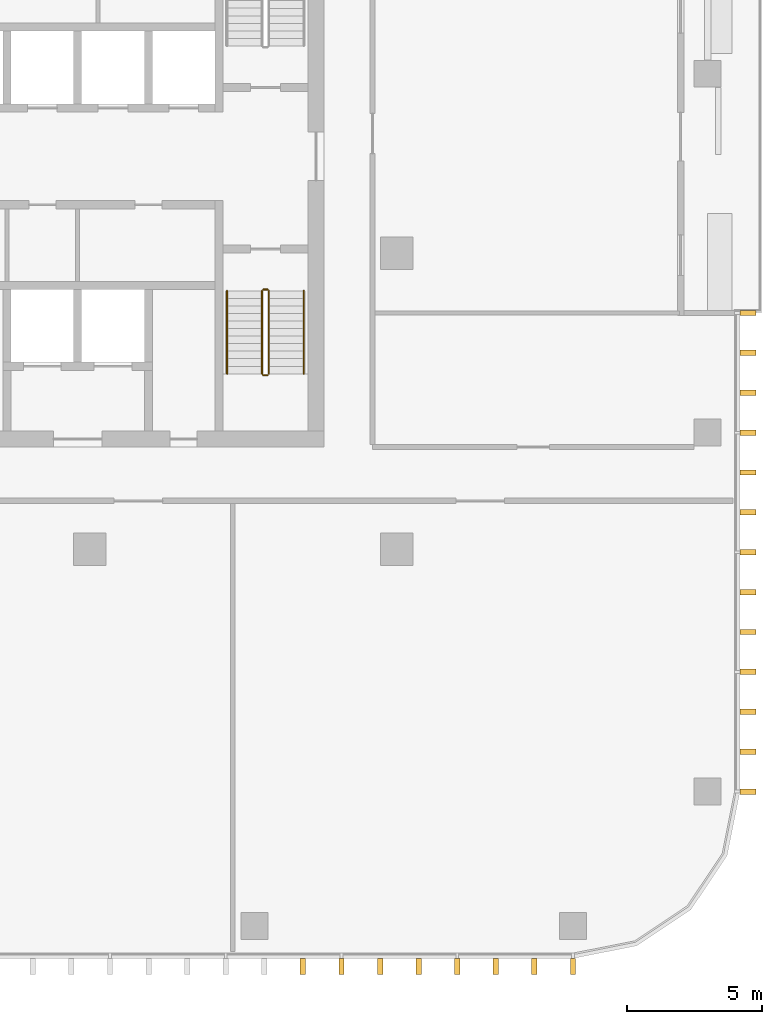
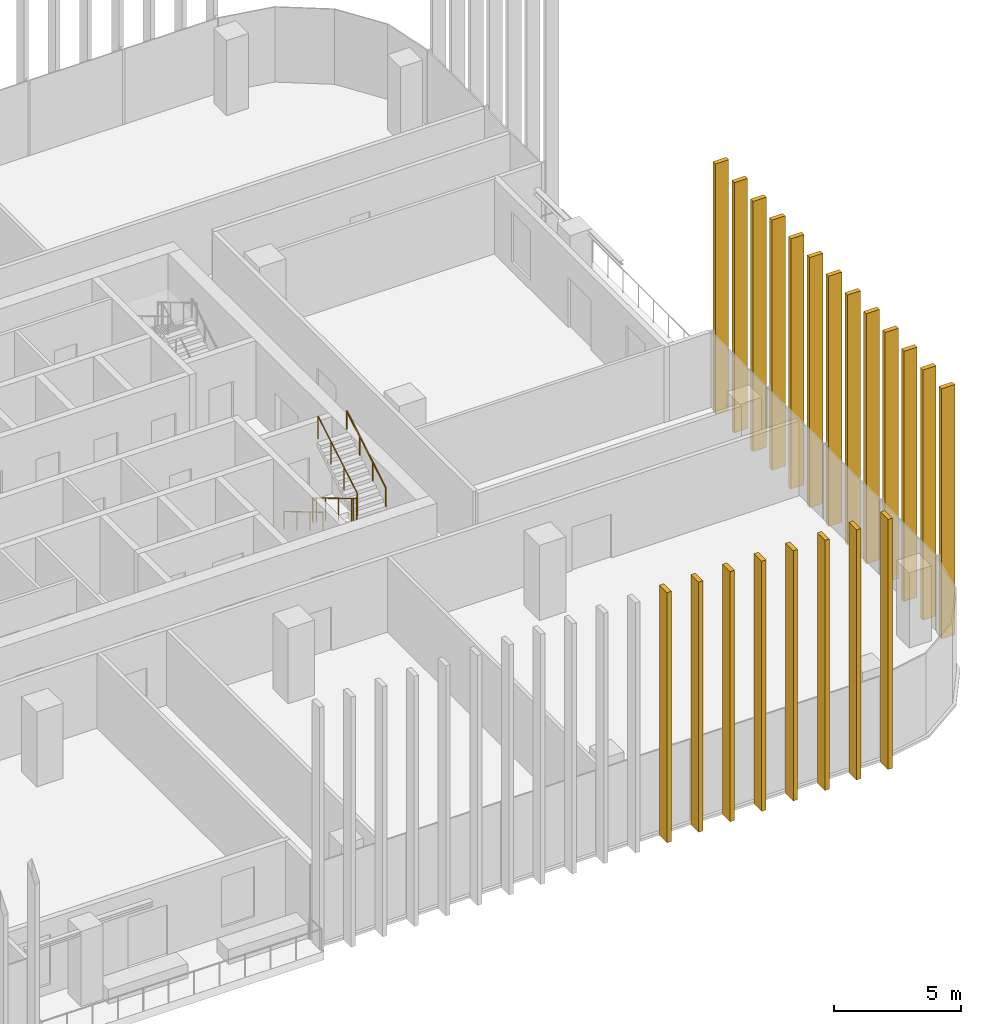
# One storey, part 13 of 16: 21 shading devices, 5 railings.
"""IFC4 building model written with IfcOpenShell, lengths in metres."""

from ifc_helpers import new_model, si_unit, direction, frame, origin, origin_2d, place, context, subcontext, project, spatial, rectangle, circle, extrude, material, type_object, element, save


model = new_model("IFC4")

# Units and contexts
model_context = context("Model", 3, precision=1e-05, world=origin(), true_north=direction((0.0, 1.0)))
body_context = subcontext(model_context, "Body", "Model", "MODEL_VIEW")
ifc_project = project(units=[si_unit("LENGTHUNIT", "METRE"), si_unit("AREAUNIT", "SQUARE_METRE"), si_unit("VOLUMEUNIT", "CUBIC_METRE"), si_unit("PLANEANGLEUNIT", "RADIAN"), si_unit("MASSUNIT", "GRAM", prefix="KILO")], contexts=[model_context])

# Site, building, storey
site_placement = place(None, origin())
site = spatial("IfcSite", under=ifc_project, at=site_placement, CompositionType="ELEMENT")
building_placement = place(site_placement, origin())
building = spatial("IfcBuilding", under=site, at=building_placement, Name="Mopane Tessera Tower", CompositionType="ELEMENT")
storey_placement = place(building_placement, frame((0.0, 0.0, 291.39990234375)))
storey = spatial("IfcBuildingStorey", under=building, at=storey_placement, Name="L63", CompositionType="ELEMENT", Elevation=291.39990234375)

# Shading devices
ifc_material_1 = material(Name="Glazed ceramic tile")
shading_device_type = type_object("IfcShadingDeviceType", Name="Ceramic tile fin 600 x 200 mm", PredefinedType="USERDEFINED", material=ifc_material_1)
for number, where, z_axis, x_axis, name in (
    (1, (13.61669921875, -26.5, -0.39990234375), (0.0, 0.0, 1.0), (1.0, 0.0, 0.0), "e:fin:L63:S:8:2"),
    (2, (15.050048828125, -26.5, -0.39990234375), (0.0, 0.0, 1.0), (1.0, 0.0, 0.0), "e:fin:L63:S:9:0"),
    (3, (16.4833984375, -26.5, -0.39990234375), (0.0, 0.0, 1.0), (1.0, 0.0, 0.0), "e:fin:L63:S:9:1"),
    (4, (17.916748046875, -26.5, -0.39990234375), (0.0, 0.0, 1.0), (1.0, 0.0, 0.0), "e:fin:L63:S:9:2"),
    (5, (19.35009765625, -26.5, -0.39990234375), (0.0, 0.0, 1.0), (1.0, 0.0, 0.0), "e:fin:L63:S:10:0"),
    (6, (20.783447265625, -26.5, -0.39990234375), (0.0, 0.0, 1.0), (1.0, 0.0, 0.0), "e:fin:L63:S:10:1"),
    (7, (22.216552734375, -26.5, -0.39990234375), (0.0, 0.0, 1.0), (1.0, 0.0, 0.0), "e:fin:L63:S:10:2"),
    (8, (23.64990234375, -26.5, -0.39990234375), (0.0, 0.0, 1.0), (1.0, 0.0, 0.0), "e:fin:L63:S:10:3"),
    (9, (30.14990234375, -20.0, -0.39990234375), (0.0, 0.0, 1.0), (0.0, 1.0, 0.0), "e:fin:L63:E:0:0"),
    (10, (30.14990234375, -18.5185546875, -0.39990234375), (0.0, 0.0, 1.0), (0.0, 1.0, 0.0), "e:fin:L63:E:0:1"),
    (11, (30.14990234375, -17.037109375, -0.39990234375), (0.0, 0.0, 1.0), (0.0, 1.0, 0.0), "e:fin:L63:E:0:2"),
    (12, (30.14990234375, -15.5556640625, -0.39990234375), (0.0, 0.0, 1.0), (0.0, 1.0, 0.0), "e:fin:L63:E:1:0"),
    (13, (30.14990234375, -14.073974609375, -0.39990234375), (0.0, 0.0, 1.0), (0.0, 1.0, 0.0), "e:fin:L63:E:1:1"),
    (14, (30.14990234375, -12.592529296875, -0.39990234375), (0.0, 0.0, 1.0), (0.0, 1.0, 0.0), "e:fin:L63:E:1:2"),
    (15, (30.14990234375, -11.111083984375, -0.39990234375), (0.0, 0.0, 1.0), (0.0, 1.0, 0.0), "e:fin:L63:E:2:0"),
    (16, (30.14990234375, -9.629638671875, -0.39990234375), (0.0, 0.0, 1.0), (0.0, 1.0, 0.0), "e:fin:L63:E:2:1"),
    (17, (30.14990234375, -8.148193359375, -0.39990234375), (0.0, 0.0, 1.0), (0.0, 1.0, 0.0), "e:fin:L63:E:2:2"),
    (18, (30.14990234375, -6.666748046875, -0.39990234375), (0.0, 0.0, 1.0), (0.0, 1.0, 0.0), "e:fin:L63:E:3:0"),
    (19, (30.14990234375, -5.185302734375, -0.39990234375), (0.0, 0.0, 1.0), (0.0, 1.0, 0.0), "e:fin:L63:E:3:1"),
    (20, (30.14990234375, -3.70361328125, -0.39990234375), (0.0, 0.0, 1.0), (0.0, 1.0, 0.0), "e:fin:L63:E:3:2"),
    (21, (30.14990234375, -2.22216796875, -0.39990234375), (0.0, 0.0, 1.0), (0.0, 1.0, 0.0), "e:fin:L63:E:3:3"),
):
    element("IfcShadingDevice", number, at=place(storey_placement, frame(where, z_axis=z_axis, x_axis=x_axis)), inside=storey, type_object=shading_device_type, Name=name, ObjectType="FIN", PredefinedType="USERDEFINED", context=body_context, shape_type="SweptSolid", body=[
        extrude(rectangle(XDim=0.199951171875, YDim=0.60009765625, at=origin_2d()), origin(), (0.0, 0.0, 1.0), 12.0),
    ])

# Railings
ifc_material_2 = material(Name="Powder-coated steel balustrade", Category="steel")
railing_type_1 = type_object("IfcRailingType", Name="Escape stair guard 1100 mm", PredefinedType="GUARDRAIL", material=ifc_material_2)
railing_1_placement = place(storey_placement, frame((12.10009765625, -1.39990234375, 0.166748046875)))
element("IfcRailing", 22, at=railing_1_placement, inside=storey, type_object=railing_type_1, Name="L63 ST3 stair guard 1", PredefinedType="GUARDRAIL", context=body_context, shape_type="SweptSolid", body=[
    extrude(circle(Radius=0.02392578125, at=origin_2d()), frame((0.0, 0.0, 1.076171875), z_axis=(0.0, -0.859308565015, 0.511457515432), x_axis=(1.0, 0.0, 0.0)), (0.0, 0.0, 1.0), 3.58447265625),
    extrude(circle(Radius=0.02392578125, at=origin_2d()), frame((0.0, -3.080078125, 2.9091796875), z_axis=(0.705375805398, -0.708833529934, 0.0), x_axis=(0.708833529934, 0.705375805398, 0.0)), (0.0, 0.0, 1.0), 0.070556640625),
    extrude(circle(Radius=0.02392578125, at=origin_2d()), frame((0.0498046875, -3.130126953125, 2.9091796875), z_axis=(1.0, 0.0, 0.0), x_axis=(0.0, 1.0, 0.0)), (0.0, 0.0, 1.0), 0.150146484375),
    extrude(circle(Radius=0.02099609375, at=origin_2d()), origin(), (0.0, 0.0, 1.0), 1.052001953125),
    extrude(circle(Radius=0.02099609375, at=origin_2d()), frame((0.0, -1.026611328125, 0.611083984375)), (0.0, 0.0, 1.0), 1.052001953125),
    extrude(circle(Radius=0.02099609375, at=origin_2d()), frame((0.0, -2.053466796875, 1.22216796875)), (0.0, 0.0, 1.0), 1.052001953125),
    extrude(circle(Radius=0.02099609375, at=origin_2d()), frame((0.0, -3.080078125, 1.833251953125)), (0.0, 0.0, 1.0), 1.052001953125),
    extrude(circle(Radius=0.02099609375, at=origin_2d()), frame((0.0498046875, -3.130126953125, 1.833251953125)), (0.0, 0.0, 1.0), 1.052001953125),
    extrude(circle(Radius=0.02099609375, at=origin_2d()), frame((0.199951171875, -3.130126953125, 1.833251953125)), (0.0, 0.0, 1.0), 1.052001953125),
])
railing_2_placement = place(storey_placement, frame((12.35009765625, -4.47998046875, 2.166748046875)))
element("IfcRailing", 23, at=railing_2_placement, inside=storey, type_object=railing_type_1, Name="L63 ST3 stair guard 2", PredefinedType="GUARDRAIL", context=body_context, shape_type="SweptSolid", body=[
    extrude(circle(Radius=0.02392578125, at=origin_2d()), frame((0.0, 0.0, 1.076171875), z_axis=(0.0, 0.859308565015, 0.511457515432), x_axis=(-1.0, 0.0, 0.0)), (0.0, 0.0, 1.0), 3.58447265625),
    extrude(circle(Radius=0.02099609375, at=origin_2d()), origin(), (0.0, 0.0, 1.0), 1.052001953125),
    extrude(circle(Radius=0.02099609375, at=origin_2d()), frame((0.0, 1.026611328125, 0.611083984375)), (0.0, 0.0, 1.0), 1.052001953125),
    extrude(circle(Radius=0.02099609375, at=origin_2d()), frame((0.0, 2.053466796875, 1.22216796875)), (0.0, 0.0, 1.0), 1.052001953125),
    extrude(circle(Radius=0.02099609375, at=origin_2d()), frame((0.0, 3.080078125, 1.833251953125)), (0.0, 0.0, 1.0), 1.052001953125),
])
railing_3_placement = place(storey_placement, frame((12.14990234375, -1.35009765625, 0.0)))
element("IfcRailing", 24, at=railing_3_placement, inside=storey, type_object=railing_type_1, Name="L63 ST3 stair guard 3", PredefinedType="GUARDRAIL", context=body_context, shape_type="SweptSolid", body=[
    extrude(circle(Radius=0.02392578125, at=origin_2d()), frame((0.0, 0.0, 1.076171875), z_axis=(1.0, 0.0, 0.0), x_axis=(0.0, 1.0, 0.0)), (0.0, 0.0, 1.0), 0.150146484375),
    extrude(circle(Radius=0.02099609375, at=origin_2d()), origin(), (0.0, 0.0, 1.0), 1.052001953125),
    extrude(circle(Radius=0.02099609375, at=origin_2d()), frame((0.150146484375, 0.0, 0.0)), (0.0, 0.0, 1.0), 1.052001953125),
])
ifc_material_3 = material(Name="Powder-coated steel balustrade", Category="steel")
railing_type_2 = type_object("IfcRailingType", Name="Escape stair handrail 900 mm", PredefinedType="HANDRAIL", material=ifc_material_3)
railing_4_placement = place(storey_placement, frame((10.800048828125, -1.39990234375, 0.166748046875)))
element("IfcRailing", 25, at=railing_4_placement, inside=storey, type_object=railing_type_2, Name="L63 ST3 stair handrail 1", PredefinedType="HANDRAIL", context=body_context, shape_type="SweptSolid", body=[
    extrude(circle(Radius=0.02392578125, at=origin_2d()), frame((0.0, 0.0, 0.8759765625), z_axis=(0.0, -0.859308565015, 0.511457515432), x_axis=(1.0, 0.0, 0.0)), (0.0, 0.0, 1.0), 3.58447265625),
    extrude(circle(Radius=0.02099609375, at=origin_2d()), origin(), (0.0, 0.0, 1.0), 0.851806640625),
    extrude(circle(Radius=0.02099609375, at=origin_2d()), frame((0.0, -1.026611328125, 0.611083984375)), (0.0, 0.0, 1.0), 0.851806640625),
    extrude(circle(Radius=0.02099609375, at=origin_2d()), frame((0.0, -2.053466796875, 1.22216796875)), (0.0, 0.0, 1.0), 0.851806640625),
    extrude(circle(Radius=0.02099609375, at=origin_2d()), frame((0.0, -3.080078125, 1.833251953125)), (0.0, 0.0, 1.0), 0.851806640625),
])
railing_5_placement = place(storey_placement, frame((13.64990234375, -4.47998046875, 2.166748046875)))
element("IfcRailing", 26, at=railing_5_placement, inside=storey, type_object=railing_type_2, Name="L63 ST3 stair handrail 2", PredefinedType="HANDRAIL", context=body_context, shape_type="SweptSolid", body=[
    extrude(circle(Radius=0.02392578125, at=origin_2d()), frame((0.0, 0.0, 0.8759765625), z_axis=(0.0, 0.859308565015, 0.511457515432), x_axis=(-1.0, 0.0, 0.0)), (0.0, 0.0, 1.0), 3.58447265625),
    extrude(circle(Radius=0.02099609375, at=origin_2d()), origin(), (0.0, 0.0, 1.0), 0.851806640625),
    extrude(circle(Radius=0.02099609375, at=origin_2d()), frame((0.0, 1.026611328125, 0.611083984375)), (0.0, 0.0, 1.0), 0.851806640625),
    extrude(circle(Radius=0.02099609375, at=origin_2d()), frame((0.0, 2.053466796875, 1.22216796875)), (0.0, 0.0, 1.0), 0.851806640625),
    extrude(circle(Radius=0.02099609375, at=origin_2d()), frame((0.0, 3.080078125, 1.833251953125)), (0.0, 0.0, 1.0), 0.851806640625),
])

save(model, "model.ifc")
